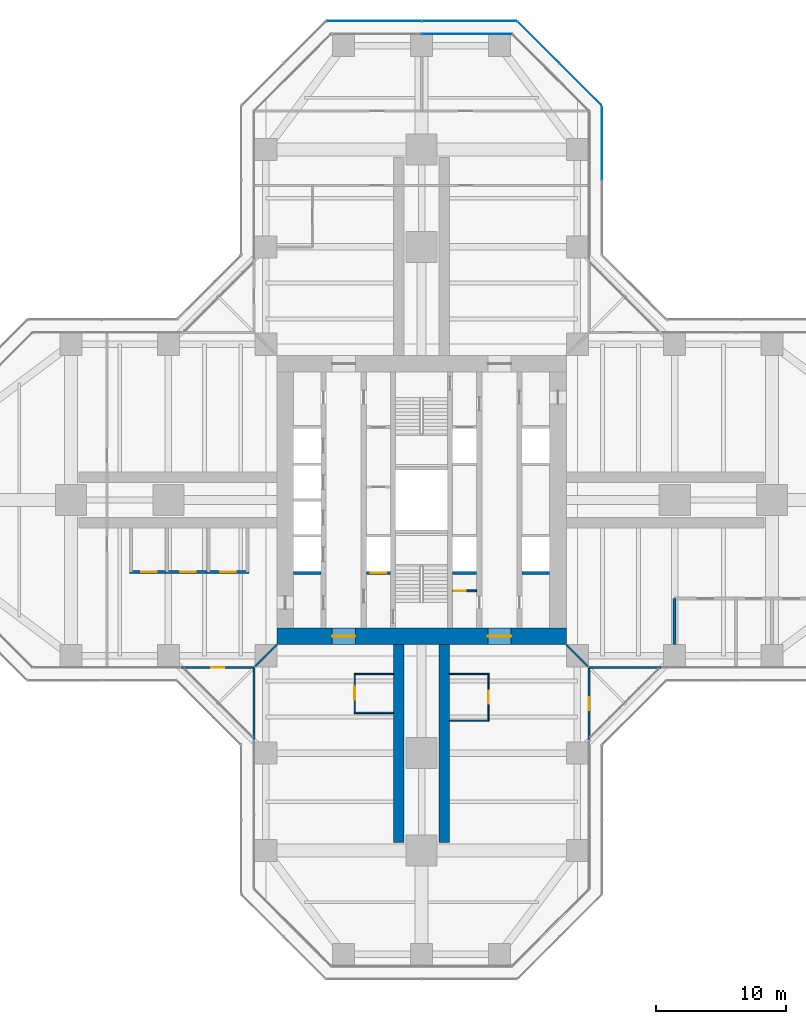
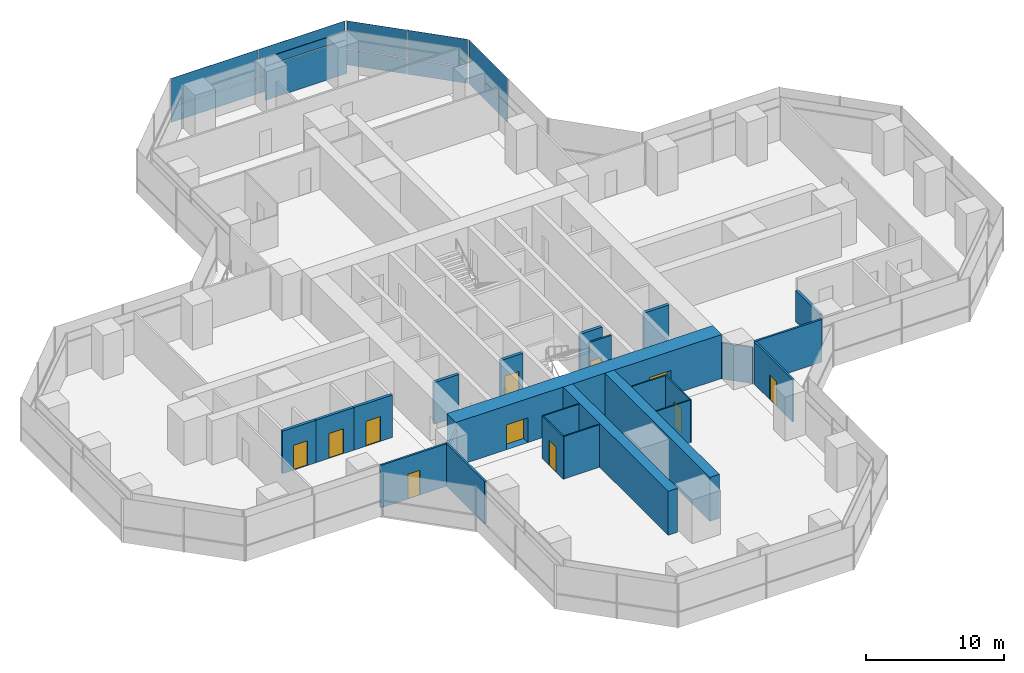
# One storey, part 17 of 22: 24 walls, 12 plates, 11 doors, 11 openings, 4 elements without a shape of their own.
"""IFC4 building model written with IfcOpenShell, lengths in metres."""

from ifc_helpers import new_model, si_unit, direction, frame, frame_2d, origin, origin_2d, place, context, subcontext, project, spatial, rectangle, extrude, material, layer, layer_set, type_object, element, fill, aggregate, save


model = new_model("IFC4")

# Units and contexts
model_context = context("Model", 3, precision=1e-05, world=origin(), true_north=direction((0.0, 1.0)))
body_context = subcontext(model_context, "Body", "Model", "MODEL_VIEW")
ifc_project = project(units=[si_unit("LENGTHUNIT", "METRE"), si_unit("AREAUNIT", "SQUARE_METRE"), si_unit("VOLUMEUNIT", "CUBIC_METRE"), si_unit("PLANEANGLEUNIT", "RADIAN"), si_unit("MASSUNIT", "GRAM", prefix="KILO")], contexts=[model_context])

# Site, building, storey
site_placement = place(None, origin())
site = spatial("IfcSite", under=ifc_project, at=site_placement, CompositionType="ELEMENT")
building_placement = place(site_placement, origin())
building = spatial("IfcBuilding", under=site, at=building_placement, Name="Mizan Broadcast Tower", CompositionType="ELEMENT")
storey_placement = place(building_placement, frame((0.0, 0.0, 47.39990234375)))
storey = spatial("IfcBuildingStorey", under=building, at=storey_placement, Name="L08", CompositionType="ELEMENT", Elevation=47.39990234375)

# Curtain wall, plates
ifc_material_1 = material(Name="Aluminium framed glazing", Category="aluminium")
curtain_wall_type_1 = type_object("IfcCurtainWallType", Name="INNER SKIN LOW ZONE", PredefinedType="USERDEFINED", material=ifc_material_1)
curtain_wall_1_placement = place(storey_placement, origin())
curtain_wall_1 = element("IfcCurtainWall", 1, at=curtain_wall_1_placement, inside=storey, type_object=curtain_wall_type_1, Name="Inner skin low zone L08 N end", ObjectType="INNER SKIN LOW ZONE", PredefinedType="USERDEFINED")
ifc_material_2 = material(Name="Double glazing, clear low-e", Category="glass")
ifc_layer_1 = layer(ifc_material_2, 0.028076171875)
ifc_layer_set_1 = layer_set([ifc_layer_1], Name="Double glazing, clear low-e")
plate_type_1 = type_object("IfcPlateType", Name="INNER SKIN GLAZING UNIT", PredefinedType="CURTAIN_PANEL", material=ifc_layer_set_1)
plate_1_placement = place(storey_placement, frame((3.46435546875, 35.89990234375, 0.0), z_axis=(0.0, 0.0, 1.0), x_axis=(-1.0, 0.0, 0.0)))
plate_1 = element("IfcPlate", 2, at=plate_1_placement, type_object=plate_type_1, Name="Inner skin low zone L08 N end panel 1.1", PredefinedType="CURTAIN_PANEL", context=body_context, shape_type="SweptSolid", body=[
    extrude(rectangle(XDim=6.86865234375, YDim=0.028076171875, at=origin_2d()), origin(), (0.0, 0.0, 1.0), 3.0),
])
ifc_material_3 = material(Name="Insulated aluminium spandrel panel, pale anodised", Category="aluminium")
ifc_layer_2 = layer(ifc_material_3, 0.050048828125)
ifc_layer_set_2 = layer_set([ifc_layer_2], Name="Insulated aluminium spandrel panel, pale anodised")
plate_type_2 = type_object("IfcPlateType", Name="INNER SKIN SPANDREL PANEL", PredefinedType="CURTAIN_PANEL", material=ifc_layer_set_2)
plate_2_placement = place(storey_placement, frame((3.46435546875, 35.89990234375, 3.06005859375), z_axis=(0.0, 0.0, 1.0), x_axis=(-1.0, 0.0, 0.0)))
plate_2 = element("IfcPlate", 3, at=plate_2_placement, type_object=plate_type_2, Name="Inner skin low zone L08 N end panel 1.2", PredefinedType="CURTAIN_PANEL", context=body_context, shape_type="SweptSolid", body=[
    extrude(rectangle(XDim=6.86865234375, YDim=0.050048828125, at=origin_2d()), origin(), (0.0, 0.0, 1.0), 0.7099609375),
])
aggregate(curtain_wall_1, [plate_1, plate_2])

ifc_material_4 = material(Name="Aluminium framed glazing", Category="aluminium")
curtain_wall_type_2 = type_object("IfcCurtainWallType", Name="OUTER SKIN", PredefinedType="USERDEFINED", material=ifc_material_4)
curtain_wall_2_placement = place(storey_placement, origin())
curtain_wall_2 = element("IfcCurtainWall", 4, at=curtain_wall_2_placement, inside=storey, type_object=curtain_wall_type_2, Name="Outer skin L08 N chamfer", ObjectType="OUTER SKIN", PredefinedType="USERDEFINED")
ifc_material_5 = material(Name="Laminated clear glass", Category="glass")
ifc_layer_3 = layer(ifc_material_5, 0.02001953125)
ifc_layer_set_3 = layer_set([ifc_layer_3], Name="Laminated clear glass")
plate_type_3 = type_object("IfcPlateType", Name="OUTER SKIN CLEAR GLASS", PredefinedType="CURTAIN_PANEL", material=ifc_layer_set_3)
plate_3_placement = place(storey_placement, frame((12.254150390625, 32.018798828125, 0.0), z_axis=(0.0, 0.0, 1.0), x_axis=(-0.707106781187, 0.707106781187, 0.0)))
plate_3 = element("IfcPlate", 5, at=plate_3_placement, type_object=plate_type_3, Name="Outer skin L08 N chamfer panel 1.1", PredefinedType="CURTAIN_PANEL", context=body_context, shape_type="SweptSolid", body=[
    extrude(rectangle(XDim=4.495361328125, YDim=0.02001953125, at=origin_2d()), origin(), (0.0, 0.0, 1.0), 1.3701171875),
])
plate_4_placement = place(storey_placement, frame((12.254150390625, 32.018798828125, 1.43017578125), z_axis=(0.0, 0.0, 1.0), x_axis=(-0.707106781187, 0.707106781187, 0.0)))
plate_4 = element("IfcPlate", 6, at=plate_4_placement, type_object=plate_type_3, Name="Outer skin L08 N chamfer panel 1.2", PredefinedType="CURTAIN_PANEL", context=body_context, shape_type="SweptSolid", body=[
    extrude(rectangle(XDim=4.495361328125, YDim=0.02001953125, at=origin_2d()), origin(), (0.0, 0.0, 1.0), 2.469970703125),
])

curtain_wall_3_placement = place(storey_placement, origin())
curtain_wall_3 = element("IfcCurtainWall", 7, at=curtain_wall_3_placement, inside=storey, type_object=curtain_wall_type_2, Name="Outer skin L08 N end", ObjectType="OUTER SKIN", PredefinedType="USERDEFINED")
plate_5_placement = place(storey_placement, frame((3.66650390625, 36.89990234375, 0.0), z_axis=(0.0, 0.0, 1.0), x_axis=(-1.0, 0.0, 0.0)))
plate_5 = element("IfcPlate", 8, at=plate_5_placement, type_object=plate_type_3, Name="Outer skin L08 N end panel 1.1", PredefinedType="CURTAIN_PANEL", context=body_context, shape_type="SweptSolid", body=[
    extrude(rectangle(XDim=7.252685546875, YDim=0.02001953125, at=origin_2d()), origin(), (0.0, 0.0, 1.0), 1.3701171875),
])
plate_6_placement = place(storey_placement, frame((3.66650390625, 36.89990234375, 1.43017578125), z_axis=(0.0, 0.0, 1.0), x_axis=(-1.0, 0.0, 0.0)))
plate_6 = element("IfcPlate", 9, at=plate_6_placement, type_object=plate_type_3, Name="Outer skin L08 N end panel 1.2", PredefinedType="CURTAIN_PANEL", context=body_context, shape_type="SweptSolid", body=[
    extrude(rectangle(XDim=7.252685546875, YDim=0.02001953125, at=origin_2d()), origin(), (0.0, 0.0, 1.0), 2.469970703125),
])
plate_7_placement = place(storey_placement, frame((-3.66650390625, 36.89990234375, 0.0), z_axis=(0.0, 0.0, 1.0), x_axis=(-1.0, 0.0, 0.0)))
plate_7 = element("IfcPlate", 10, at=plate_7_placement, type_object=plate_type_3, Name="Outer skin L08 N end panel 2.1", PredefinedType="CURTAIN_PANEL", context=body_context, shape_type="SweptSolid", body=[
    extrude(rectangle(XDim=7.252685546875, YDim=0.02001953125, at=origin_2d()), origin(), (0.0, 0.0, 1.0), 1.3701171875),
])
plate_8_placement = place(storey_placement, frame((-3.66650390625, 36.89990234375, 1.43017578125), z_axis=(0.0, 0.0, 1.0), x_axis=(-1.0, 0.0, 0.0)))
plate_8 = element("IfcPlate", 11, at=plate_8_placement, type_object=plate_type_3, Name="Outer skin L08 N end panel 2.2", PredefinedType="CURTAIN_PANEL", context=body_context, shape_type="SweptSolid", body=[
    extrude(rectangle(XDim=7.252685546875, YDim=0.02001953125, at=origin_2d()), origin(), (0.0, 0.0, 1.0), 2.469970703125),
])
aggregate(curtain_wall_3, [plate_5, plate_6, plate_7, plate_8])

curtain_wall_4_placement = place(storey_placement, origin())
curtain_wall_4 = element("IfcCurtainWall", 12, at=curtain_wall_4_placement, inside=storey, type_object=curtain_wall_type_2, Name="Outer skin L08 N side", ObjectType="OUTER SKIN", PredefinedType="USERDEFINED")
ifc_material_6 = material(Name="Perforated aluminium, pale anodised", Category="aluminium")
ifc_layer_4 = layer(ifc_material_6, 0.011962890625)
ifc_layer_set_4 = layer_set([ifc_layer_4], Name="Perforated aluminium, pale anodised")
plate_type_4 = type_object("IfcPlateType", Name="OUTER SKIN PERFORATED SCREEN", PredefinedType="USERDEFINED", material=ifc_layer_set_4)
plate_9_placement = place(storey_placement, frame((13.89990234375, 27.477783203125, 0.0), z_axis=(0.0, 0.0, 1.0), x_axis=(0.0, 1.0, 0.0)))
plate_9 = element("IfcPlate", 13, at=plate_9_placement, type_object=plate_type_4, Name="Outer skin L08 N side panel 2.1", ObjectType="SCREEN", PredefinedType="USERDEFINED", context=body_context, shape_type="SweptSolid", body=[
    extrude(rectangle(XDim=5.6298828125, YDim=0.011962890625, at=origin_2d()), origin(), (0.0, 0.0, 1.0), 1.3701171875),
])
plate_10_placement = place(storey_placement, frame((13.89990234375, 27.477783203125, 1.43017578125), z_axis=(0.0, 0.0, 1.0), x_axis=(0.0, 1.0, 0.0)))
plate_10 = element("IfcPlate", 14, at=plate_10_placement, type_object=plate_type_4, Name="Outer skin L08 N side panel 2.2", ObjectType="SCREEN", PredefinedType="USERDEFINED", context=body_context, shape_type="SweptSolid", body=[
    extrude(rectangle(XDim=5.6298828125, YDim=0.011962890625, at=origin_2d()), origin(), (0.0, 0.0, 1.0), 2.469970703125),
])
aggregate(curtain_wall_4, [plate_9, plate_10])

# Plate
plate_11_placement = place(storey_placement, frame((9.018798828125, 35.254150390625, 0.0), z_axis=(0.0, 0.0, 1.0), x_axis=(-0.707106781187, 0.707106781187, 0.0)))
plate_11 = element("IfcPlate", 15, at=plate_11_placement, type_object=plate_type_4, Name="Outer skin L08 N chamfer panel 2.1", ObjectType="SCREEN", PredefinedType="USERDEFINED", context=body_context, shape_type="SweptSolid", body=[
    extrude(rectangle(XDim=4.495361328125, YDim=0.011962890625, at=origin_2d()), origin(), (0.0, 0.0, 1.0), 1.3701171875),
])

plate_12_placement = place(storey_placement, frame((9.018798828125, 35.254150390625, 1.43017578125), z_axis=(0.0, 0.0, 1.0), x_axis=(-0.707106781187, 0.707106781187, 0.0)))
plate_12 = element("IfcPlate", 16, at=plate_12_placement, type_object=plate_type_4, Name="Outer skin L08 N chamfer panel 2.2", ObjectType="SCREEN", PredefinedType="USERDEFINED", context=body_context, shape_type="SweptSolid", body=[
    extrude(rectangle(XDim=4.495361328125, YDim=0.011962890625, at=origin_2d()), origin(), (0.0, 0.0, 1.0), 2.469970703125),
])

aggregate(curtain_wall_2, [plate_3, plate_4, plate_11, plate_12])

# Wall, opening, door
ifc_material_7 = material(Name="Concrete blockwork", Category="masonry")
ifc_layer_5 = layer(ifc_material_7, 0.14990234375)
ifc_layer_set_5 = layer_set([ifc_layer_5], Name="Concrete blockwork")
wall_type_1 = type_object("IfcWallType", Name="CORE PARTITION 150", PredefinedType="SOLIDWALL", material=ifc_layer_set_5)
wall_1_placement = place(storey_placement, frame((2.39990234375, -7.0, 0.0), z_axis=(0.0, 0.0, 1.0), x_axis=(1.0, 0.0, 0.0)))
wall_1 = element("IfcWall", 17, at=wall_1_placement, inside=storey, type_object=wall_type_1, Name="Core partition CORE/XPC", PredefinedType="SOLIDWALL", context=body_context, shape_type="SweptSolid", body=[
    extrude(rectangle(XDim=1.85009765625, YDim=0.14990234375, at=frame_2d((0.925048828125, 0.0))), origin(), (0.0, 0.0, 1.0), 3.77001953125),
])
opening_1_placement = place(wall_1_placement, frame((0.10009765625, 0.0, 0.0)))
opening_1 = element("IfcOpeningElement", 18, at=opening_1_placement, cuts=wall_1, Name="Opening D09F", PredefinedType="OPENING", context=body_context, shape_type="SweptSolid", body=[
    extrude(rectangle(XDim=0.89990234375, YDim=2.10009765625, at=frame_2d((0.449951171875, 1.050048828125))), frame((0.0, 0.0849609375, 0.0), z_axis=(0.0, -1.0, 0.0), x_axis=(1.0, 0.0, 0.0)), (0.0, 0.0, 1.0), 0.169921875),
])
ifc_material_8 = material(Name="Steel door leaf in steel frame", Category="steel")
door_type_1 = type_object("IfcDoorType", Name="CORE ROOM DOOR 900 FD90", OperationType="SINGLE_SWING_LEFT", PredefinedType="DOOR", material=ifc_material_8)
door_1_placement = place(opening_1_placement, origin())
door_1 = element("IfcDoor", 19, at=door_1_placement, inside=storey, type_object=door_type_1, Name="Waste store door", OperationType="SINGLE_SWING_LEFT", OverallHeight=2.10009765625, OverallWidth=0.89990234375, PredefinedType="DOOR", context=body_context, shape_type="SweptSolid", body=[
    extrude(rectangle(XDim=0.89990234375, YDim=2.10009765625, at=frame_2d((0.449951171875, 1.050048828125))), frame((0.0, 0.02490234375, 0.0), z_axis=(0.0, -1.0, 0.0), x_axis=(1.0, 0.0, 0.0)), (0.0, 0.0, 1.0), 0.050048828125),
])
fill(opening_1, door_1)

# Wall, openings, doors
ifc_material_9 = material(Name="Concrete C70/85", Category="concrete")
ifc_layer_6 = layer(ifc_material_9, 1.300048828125)
ifc_layer_set_6 = layer_set([ifc_layer_6], Name="Concrete C70/85")
wall_type_2 = type_object("IfcWallType", Name="CORE WALL 1300", PredefinedType="SHEAR", material=ifc_layer_set_6)
wall_2_placement = place(storey_placement, frame((11.14990234375, -10.5, 0.0), z_axis=(0.0, 0.0, 1.0), x_axis=(-1.0, 0.0, 0.0)))
wall_2 = element("IfcWall", 20, at=wall_2_placement, inside=storey, type_object=wall_type_2, Name="Core wall S L08", PredefinedType="SHEAR", context=body_context, shape_type="SweptSolid", body=[
    extrude(rectangle(XDim=22.2998046875, YDim=1.300048828125, at=frame_2d((11.14990234375, 0.0))), origin(), (0.0, 0.0, 1.0), 3.900146484375),
])
opening_2_placement = place(wall_2_placement, frame((16.25, 0.0, 0.0)))
opening_2 = element("IfcOpeningElement", 21, at=opening_2_placement, cuts=wall_2, Name="Opening D18F", PredefinedType="OPENING", context=body_context, shape_type="SweptSolid", body=[
    extrude(rectangle(XDim=1.800048828125, YDim=2.199951171875, at=frame_2d((0.89990234375, 1.10009765625))), frame((0.0, 0.659912109375, 0.0), z_axis=(0.0, -1.0, 0.0), x_axis=(1.0, 0.0, 0.0)), (0.0, 0.0, 1.0), 1.320068359375),
])
opening_3_placement = place(wall_2_placement, frame((4.25, 0.0, 0.0)))
opening_3 = element("IfcOpeningElement", 22, at=opening_3_placement, cuts=wall_2, Name="Opening D18F", PredefinedType="OPENING", context=body_context, shape_type="SweptSolid", body=[
    extrude(rectangle(XDim=1.800048828125, YDim=2.199951171875, at=frame_2d((0.89990234375, 1.10009765625))), frame((0.0, 0.659912109375, 0.0), z_axis=(0.0, -1.0, 0.0), x_axis=(1.0, 0.0, 0.0)), (0.0, 0.0, 1.0), 1.320068359375),
])
ifc_material_10 = material(Name="Steel door leaf in steel frame", Category="steel")
door_type_2 = type_object("IfcDoorType", Name="LOBBY DOUBLE DOOR 1800 FD90", OperationType="DOUBLE_DOOR_DOUBLE_SWING", PredefinedType="DOOR", material=ifc_material_10)
door_2_placement = place(opening_2_placement, origin())
door_2 = element("IfcDoor", 23, at=door_2_placement, inside=storey, type_object=door_type_2, Name="West lift lobby south door", OperationType="DOUBLE_DOOR_DOUBLE_SWING", OverallHeight=2.199951171875, OverallWidth=1.800048828125, PredefinedType="DOOR", context=body_context, shape_type="SweptSolid", body=[
    extrude(rectangle(XDim=1.800048828125, YDim=2.199951171875, at=frame_2d((0.89990234375, 1.10009765625))), frame((0.0, 0.02490234375, 0.0), z_axis=(0.0, -1.0, 0.0), x_axis=(1.0, 0.0, 0.0)), (0.0, 0.0, 1.0), 0.050048828125),
])
fill(opening_2, door_2)
door_3_placement = place(opening_3_placement, origin())
door_3 = element("IfcDoor", 24, at=door_3_placement, inside=storey, type_object=door_type_2, Name="East lift lobby south door", OperationType="DOUBLE_DOOR_DOUBLE_SWING", OverallHeight=2.199951171875, OverallWidth=1.800048828125, PredefinedType="DOOR", context=body_context, shape_type="SweptSolid", body=[
    extrude(rectangle(XDim=1.800048828125, YDim=2.199951171875, at=frame_2d((0.89990234375, 1.10009765625))), frame((0.0, 0.02490234375, 0.0), z_axis=(0.0, -1.0, 0.0), x_axis=(1.0, 0.0, 0.0)), (0.0, 0.0, 1.0), 0.050048828125),
])
fill(opening_3, door_3)

# Wall
ifc_material_11 = material(Name="Aluminium framed glazed screen", Category="aluminium")
ifc_layer_7 = layer(ifc_material_11, 0.159912109375)
ifc_layer_set_7 = layer_set([ifc_layer_7], Name="Aluminium framed glazed screen")
wall_type_3 = type_object("IfcWallType", Name="GLAZED SCREEN WALL 160", PredefinedType="SOLIDWALL", material=ifc_layer_set_7)
wall_3_placement = place(storey_placement, frame((12.89990234375, -12.89990234375, 0.0), z_axis=(0.0, 0.0, 1.0), x_axis=(1.0, 0.0, 0.0)))
element("IfcWall", 25, at=wall_3_placement, inside=storey, type_object=wall_type_3, Name="Winter garden screen L08 E", PredefinedType="SOLIDWALL", context=body_context, shape_type="SweptSolid", body=[
    extrude(rectangle(XDim=5.60009765625, YDim=0.159912109375, at=frame_2d((2.800048828125, 0.0))), origin(), (0.0, 0.0, 1.0), 3.77001953125),
])

# Wall, opening, door
wall_4_placement = place(storey_placement, frame((-18.5, -12.89990234375, 0.0), z_axis=(0.0, 0.0, 1.0), x_axis=(1.0, 0.0, 0.0)))
wall_4 = element("IfcWall", 26, at=wall_4_placement, inside=storey, type_object=wall_type_3, Name="Winter garden screen L08 W", PredefinedType="SOLIDWALL", context=body_context, shape_type="SweptSolid", body=[
    extrude(rectangle(XDim=5.60009765625, YDim=0.159912109375, at=frame_2d((2.800048828125, 0.0))), origin(), (0.0, 0.0, 1.0), 3.77001953125),
])
opening_4_placement = place(wall_4_placement, frame((2.300048828125, 0.0, 0.0)))
opening_4 = element("IfcOpeningElement", 27, at=opening_4_placement, cuts=wall_4, Name="Opening WGD", PredefinedType="OPENING", context=body_context, shape_type="SweptSolid", body=[
    extrude(rectangle(XDim=1.0, YDim=2.199951171875, at=frame_2d((0.5, 1.10009765625))), frame((0.0, 0.08984375, 0.0), z_axis=(0.0, -1.0, 0.0), x_axis=(1.0, 0.0, 0.0)), (0.0, 0.0, 1.0), 0.179931640625),
])
ifc_material_12 = material(Name="Aluminium framed glazed door", Category="aluminium")
door_type_3 = type_object("IfcDoorType", Name="WINTER GARDEN DOOR 1000 GLAZED", OperationType="SINGLE_SWING_LEFT", PredefinedType="DOOR", material=ifc_material_12)
door_4_placement = place(opening_4_placement, origin())
door_4 = element("IfcDoor", 28, at=door_4_placement, inside=storey, type_object=door_type_3, Name="Winter garden door L08 W", OperationType="SINGLE_SWING_RIGHT", OverallHeight=2.199951171875, OverallWidth=1.0, PredefinedType="DOOR", context=body_context, shape_type="SweptSolid", body=[
    extrude(rectangle(XDim=1.0, YDim=2.199951171875, at=frame_2d((0.5, 1.10009765625))), frame((0.0, 0.02490234375, 0.0), z_axis=(0.0, -1.0, 0.0), x_axis=(1.0, 0.0, 0.0)), (0.0, 0.0, 1.0), 0.050048828125),
])
fill(opening_4, door_4)

# Wall
wall_5_placement = place(storey_placement, frame((-12.89990234375, -12.89990234375, 0.0), z_axis=(0.0, 0.0, 1.0), x_axis=(0.0, -1.0, 0.0)))
element("IfcWall", 29, at=wall_5_placement, inside=storey, type_object=wall_type_3, Name="Winter garden screen L08 S", PredefinedType="SOLIDWALL", context=body_context, shape_type="SweptSolid", body=[
    extrude(rectangle(XDim=5.60009765625, YDim=0.159912109375, at=frame_2d((2.800048828125, 0.0))), origin(), (0.0, 0.0, 1.0), 3.77001953125),
])

# Wall, opening, door
wall_6_placement = place(storey_placement, frame((12.89990234375, -18.5, 0.0), z_axis=(0.0, 0.0, 1.0), x_axis=(0.0, 1.0, 0.0)))
wall_6 = element("IfcWall", 30, at=wall_6_placement, inside=storey, type_object=wall_type_3, Name="Winter garden screen L08 S", PredefinedType="SOLIDWALL", context=body_context, shape_type="SweptSolid", body=[
    extrude(rectangle(XDim=5.60009765625, YDim=0.159912109375, at=frame_2d((2.800048828125, 0.0))), origin(), (0.0, 0.0, 1.0), 3.77001953125),
])
opening_5_placement = place(wall_6_placement, frame((2.300048828125, 0.0, 0.0)))
opening_5 = element("IfcOpeningElement", 31, at=opening_5_placement, cuts=wall_6, Name="Opening WGD", PredefinedType="OPENING", context=body_context, shape_type="SweptSolid", body=[
    extrude(rectangle(XDim=1.0, YDim=2.199951171875, at=frame_2d((0.5, 1.10009765625))), frame((0.0, 0.08984375, 0.0), z_axis=(0.0, -1.0, 0.0), x_axis=(1.0, 0.0, 0.0)), (0.0, 0.0, 1.0), 0.179931640625),
])
door_5_placement = place(opening_5_placement, origin())
door_5 = element("IfcDoor", 32, at=door_5_placement, inside=storey, type_object=door_type_3, Name="Winter garden door L08 S", OperationType="SINGLE_SWING_RIGHT", OverallHeight=2.199951171875, OverallWidth=1.0, PredefinedType="DOOR", context=body_context, shape_type="SweptSolid", body=[
    extrude(rectangle(XDim=1.0, YDim=2.199951171875, at=frame_2d((0.5, 1.10009765625))), frame((0.0, 0.02490234375, 0.0), z_axis=(0.0, -1.0, 0.0), x_axis=(1.0, 0.0, 0.0)), (0.0, 0.0, 1.0), 0.050048828125),
])
fill(opening_5, door_5)

# Wall
ifc_material_13 = material(Name="Concrete blockwork", Category="masonry")
ifc_layer_8 = layer(ifc_material_13, 0.25)
ifc_layer_set_8 = layer_set([ifc_layer_8], Name="Concrete blockwork")
wall_type_4 = type_object("IfcWallType", Name="LOBBY ENCLOSURE WALL 250", PredefinedType="SOLIDWALL", material=ifc_layer_set_8)
wall_7_placement = place(storey_placement, frame((-9.85009765625, -5.625, 0.0), z_axis=(0.0, 0.0, 1.0), x_axis=(1.0, 0.0, 0.0)))
element("IfcWall", 33, at=wall_7_placement, inside=storey, type_object=wall_type_4, Name="Lobby enclosure wall CORE/BW1S", PredefinedType="SOLIDWALL", context=body_context, shape_type="SweptSolid", body=[
    extrude(rectangle(XDim=2.10009765625, YDim=0.25, at=frame_2d((1.050048828125, 0.0))), origin(), (0.0, 0.0, 1.0), 3.7001953125),
])

# Wall, opening, door
wall_8_placement = place(storey_placement, frame((-4.25, -5.625, 0.0), z_axis=(0.0, 0.0, 1.0), x_axis=(1.0, 0.0, 0.0)))
wall_8 = element("IfcWall", 34, at=wall_8_placement, inside=storey, type_object=wall_type_4, Name="Lobby enclosure wall CORE/BW2S", PredefinedType="SOLIDWALL", context=body_context, shape_type="SweptSolid", body=[
    extrude(rectangle(XDim=1.85009765625, YDim=0.25, at=frame_2d((0.925048828125, 0.0))), origin(), (0.0, 0.0, 1.0), 3.7001953125),
])
opening_6_placement = place(wall_8_placement, frame((0.324951171875, 0.0, 0.0)))
opening_6 = element("IfcOpeningElement", 35, at=opening_6_placement, cuts=wall_8, Name="Opening LDF", PredefinedType="OPENING", context=body_context, shape_type="SweptSolid", body=[
    extrude(rectangle(XDim=1.199951171875, YDim=2.199951171875, at=frame_2d((0.60009765625, 1.10009765625))), frame((0.0, 0.135009765625, 0.0), z_axis=(0.0, -1.0, 0.0), x_axis=(1.0, 0.0, 0.0)), (0.0, 0.0, 1.0), 0.27001953125),
])
ifc_material_14 = material(Name="Steel door leaf in steel frame", Category="steel")
door_type_4 = type_object("IfcDoorType", Name="FIREFIGHTING LIFT LANDING DOOR 1200", OperationType="SLIDING_TO_LEFT", PredefinedType="DOOR", material=ifc_material_14)
door_6_placement = place(opening_6_placement, origin())
door_6 = element("IfcDoor", 36, at=door_6_placement, inside=storey, type_object=door_type_4, Name="Landing door FF1", OperationType="SLIDING_TO_LEFT", OverallHeight=2.199951171875, OverallWidth=1.199951171875, PredefinedType="DOOR", context=body_context, shape_type="SweptSolid", body=[
    extrude(rectangle(XDim=1.199951171875, YDim=2.199951171875, at=frame_2d((0.60009765625, 1.10009765625))), frame((0.0, 0.02490234375, 0.0), z_axis=(0.0, -1.0, 0.0), x_axis=(1.0, 0.0, 0.0)), (0.0, 0.0, 1.0), 0.050048828125),
])
fill(opening_6, door_6)

# Walls
wall_9_placement = place(storey_placement, frame((2.39990234375, -5.625, 0.0), z_axis=(0.0, 0.0, 1.0), x_axis=(1.0, 0.0, 0.0)))
element("IfcWall", 37, at=wall_9_placement, inside=storey, type_object=wall_type_4, Name="Lobby enclosure wall CORE/BE2S", PredefinedType="SOLIDWALL", context=body_context, shape_type="SweptSolid", body=[
    extrude(rectangle(XDim=1.85009765625, YDim=0.25, at=frame_2d((0.925048828125, 0.0))), origin(), (0.0, 0.0, 1.0), 3.7001953125),
])
wall_10_placement = place(storey_placement, frame((7.75, -5.625, 0.0), z_axis=(0.0, 0.0, 1.0), x_axis=(1.0, 0.0, 0.0)))
element("IfcWall", 38, at=wall_10_placement, inside=storey, type_object=wall_type_4, Name="Lobby enclosure wall CORE/BE1S", PredefinedType="SOLIDWALL", context=body_context, shape_type="SweptSolid", body=[
    extrude(rectangle(XDim=2.10009765625, YDim=0.25, at=frame_2d((1.050048828125, 0.0))), origin(), (0.0, 0.0, 1.0), 3.7001953125),
])
ifc_material_15 = material(Name="Gypsum board on steel studs", Category="steel")
ifc_layer_9 = layer(ifc_material_15, 0.14990234375)
ifc_layer_set_9 = layer_set([ifc_layer_9], Name="Gypsum board on steel studs")
wall_type_5 = type_object("IfcWallType", Name="PARTITION 150", PredefinedType="PARTITIONING", material=ifc_layer_set_9)
for number, where, z_axis, x_axis, name in (
    (39, (-11.14990234375, -11.14990234375, 0.0), (0.0, 0.0, 1.0), (-0.707106781187, -0.707106781187, 0.0), "Partition PT/DGWS"),
    (40, (11.14990234375, -11.14990234375, 0.0), (0.0, 0.0, 1.0), (0.707106781187, -0.707106781187, 0.0), "Partition PT/DGES"),
):
    element("IfcWall", number, at=place(storey_placement, frame(where, z_axis=z_axis, x_axis=x_axis)), inside=storey, type_object=wall_type_5, Name=name, PredefinedType="PARTITIONING", context=body_context, shape_type="SweptSolid", body=[
        extrude(rectangle(XDim=2.362060546875, YDim=0.14990234375, at=frame_2d((1.18115234375, 0.0))), origin(), (0.0, 0.0, 1.0), 3.22021484375),
    ])
ifc_material_16 = material(Name="Twin steel stud acoustic partition, four layers of gypsum board", Category="steel")
ifc_layer_10 = layer(ifc_material_16, 0.22509765625)
ifc_layer_set_10 = layer_set([ifc_layer_10], Name="Twin steel stud acoustic partition, four layers of gypsum board")
wall_type_6 = type_object("IfcWallType", Name="PARTITION ACOUSTIC 225", PredefinedType="PARTITIONING", material=ifc_layer_set_10)
wall_11_placement = place(storey_placement, frame((19.5, -7.60009765625, 0.0), z_axis=(0.0, 0.0, 1.0), x_axis=(0.0, -1.0, 0.0)))
element("IfcWall", 41, at=wall_11_placement, inside=storey, type_object=wall_type_6, Name="Acoustic partition PT/EQN1950", PredefinedType="PARTITIONING", context=body_context, shape_type="SweptSolid", body=[
    extrude(rectangle(XDim=3.5498046875, YDim=0.22509765625, at=frame_2d((1.77490234375, 0.0))), origin(), (0.0, 0.0, 1.0), 2.77001953125),
])

# Wall, opening, door
wall_12_placement = place(storey_placement, frame((-13.28759765625, -5.550048828125, 0.0), z_axis=(0.0, 0.0, 1.0), x_axis=(-1.0, 0.0, 0.0)))
wall_12 = element("IfcWall", 42, at=wall_12_placement, inside=storey, type_object=wall_type_6, Name="Acoustic partition PT/WKP0f", PredefinedType="PARTITIONING", context=body_context, shape_type="SweptSolid", body=[
    extrude(rectangle(XDim=3.224853515625, YDim=0.22509765625, at=frame_2d((1.6123046875, 0.0))), origin(), (0.0, 0.0, 1.0), 3.77001953125),
])
opening_7_placement = place(wall_12_placement, frame((1.012451171875, 0.0, 0.0)))
opening_7 = element("IfcOpeningElement", 43, at=opening_7_placement, cuts=wall_12, Name="Opening D12A", PredefinedType="OPENING", context=body_context, shape_type="SweptSolid", body=[
    extrude(rectangle(XDim=1.199951171875, YDim=2.199951171875, at=frame_2d((0.60009765625, 1.10009765625))), frame((0.0, 0.12255859375, 0.0), z_axis=(0.0, -1.0, 0.0), x_axis=(1.0, 0.0, 0.0)), (0.0, 0.0, 1.0), 0.2451171875),
])
ifc_material_17 = material(Name="Timber door leaf in aluminium frame", Category="wood")
door_type_5 = type_object("IfcDoorType", Name="ACOUSTIC DOOR 1200", OperationType="SINGLE_SWING_LEFT", PredefinedType="DOOR", material=ifc_material_17)
door_7_placement = place(opening_7_placement, origin())
door_7 = element("IfcDoor", 44, at=door_7_placement, inside=storey, type_object=door_type_5, Name="Edit suite door", OperationType="SINGLE_SWING_LEFT", OverallHeight=2.199951171875, OverallWidth=1.199951171875, PredefinedType="DOOR", context=body_context, shape_type="SweptSolid", body=[
    extrude(rectangle(XDim=1.199951171875, YDim=2.199951171875, at=frame_2d((0.60009765625, 1.10009765625))), frame((0.0, 0.02490234375, 0.0), z_axis=(0.0, -1.0, 0.0), x_axis=(1.0, 0.0, 0.0)), (0.0, 0.0, 1.0), 0.050048828125),
])
fill(opening_7, door_7)

wall_13_placement = place(storey_placement, frame((-16.512451171875, -5.550048828125, 0.0), z_axis=(0.0, 0.0, 1.0), x_axis=(-1.0, 0.0, 0.0)))
wall_13 = element("IfcWall", 45, at=wall_13_placement, inside=storey, type_object=wall_type_6, Name="Acoustic partition PT/WKP1f", PredefinedType="PARTITIONING", context=body_context, shape_type="SweptSolid", body=[
    extrude(rectangle(XDim=3.199951171875, YDim=0.22509765625, at=frame_2d((1.60009765625, 0.0))), origin(), (0.0, 0.0, 1.0), 3.77001953125),
])
opening_8_placement = place(wall_13_placement, frame((0.887451171875, 0.0, 0.0)))
opening_8 = element("IfcOpeningElement", 46, at=opening_8_placement, cuts=wall_13, Name="Opening D12A", PredefinedType="OPENING", context=body_context, shape_type="SweptSolid", body=[
    extrude(rectangle(XDim=1.199951171875, YDim=2.199951171875, at=frame_2d((0.60009765625, 1.10009765625))), frame((0.0, 0.12255859375, 0.0), z_axis=(0.0, -1.0, 0.0), x_axis=(1.0, 0.0, 0.0)), (0.0, 0.0, 1.0), 0.2451171875),
])
door_8_placement = place(opening_8_placement, origin())
door_8 = element("IfcDoor", 47, at=door_8_placement, inside=storey, type_object=door_type_5, Name="Edit suite door", OperationType="SINGLE_SWING_LEFT", OverallHeight=2.199951171875, OverallWidth=1.199951171875, PredefinedType="DOOR", context=body_context, shape_type="SweptSolid", body=[
    extrude(rectangle(XDim=1.199951171875, YDim=2.199951171875, at=frame_2d((0.60009765625, 1.10009765625))), frame((0.0, 0.02490234375, 0.0), z_axis=(0.0, -1.0, 0.0), x_axis=(1.0, 0.0, 0.0)), (0.0, 0.0, 1.0), 0.050048828125),
])
fill(opening_8, door_8)

wall_14_placement = place(storey_placement, frame((-19.71240234375, -5.550048828125, 0.0), z_axis=(0.0, 0.0, 1.0), x_axis=(-1.0, 0.0, 0.0)))
wall_14 = element("IfcWall", 48, at=wall_14_placement, inside=storey, type_object=wall_type_6, Name="Acoustic partition PT/WKP2f", PredefinedType="PARTITIONING", context=body_context, shape_type="SweptSolid", body=[
    extrude(rectangle(XDim=2.800048828125, YDim=0.22509765625, at=frame_2d((1.39990234375, 0.0))), origin(), (0.0, 0.0, 1.0), 3.77001953125),
])
opening_9_placement = place(wall_14_placement, frame((0.6875, 0.0, 0.0)))
opening_9 = element("IfcOpeningElement", 49, at=opening_9_placement, cuts=wall_14, Name="Opening D12A", PredefinedType="OPENING", context=body_context, shape_type="SweptSolid", body=[
    extrude(rectangle(XDim=1.199951171875, YDim=2.199951171875, at=frame_2d((0.60009765625, 1.10009765625))), frame((0.0, 0.12255859375, 0.0), z_axis=(0.0, -1.0, 0.0), x_axis=(1.0, 0.0, 0.0)), (0.0, 0.0, 1.0), 0.2451171875),
])
door_9_placement = place(opening_9_placement, origin())
door_9 = element("IfcDoor", 50, at=door_9_placement, inside=storey, type_object=door_type_5, Name="Edit suite door", OperationType="SINGLE_SWING_LEFT", OverallHeight=2.199951171875, OverallWidth=1.199951171875, PredefinedType="DOOR", context=body_context, shape_type="SweptSolid", body=[
    extrude(rectangle(XDim=1.199951171875, YDim=2.199951171875, at=frame_2d((0.60009765625, 1.10009765625))), frame((0.0, 0.02490234375, 0.0), z_axis=(0.0, -1.0, 0.0), x_axis=(1.0, 0.0, 0.0)), (0.0, 0.0, 1.0), 0.050048828125),
])
fill(opening_9, door_9)

# Walls
ifc_material_18 = material(Name="Glazed aluminium partition on aluminium track", Category="aluminium")
ifc_layer_11 = layer(ifc_material_18, 0.10009765625)
ifc_layer_set_11 = layer_set([ifc_layer_11], Name="Glazed aluminium partition on aluminium track")
wall_type_7 = type_object("IfcWallType", Name="PARTITION GLAZED OFFICE FRONT 100", PredefinedType="PARTITIONING", material=ifc_layer_set_11)
for number, where, z_axis, x_axis, name in (
    (51, (2.14990234375, -13.39990234375, 0.0), (0.0, 0.0, 1.0), (1.0, 0.0, 0.0), "Glazed office front PT/SKP0a"),
    (52, (2.14990234375, -17.0, 0.0), (0.0, 0.0, 1.0), (1.0, 0.0, 0.0), "Glazed office front PT/SKP0b"),
):
    element("IfcWall", number, at=place(storey_placement, frame(where, z_axis=z_axis, x_axis=x_axis)), inside=storey, type_object=wall_type_7, Name=name, PredefinedType="PARTITIONING", context=body_context, shape_type="SweptSolid", body=[
        extrude(rectangle(XDim=3.0, YDim=0.10009765625, at=frame_2d((1.5, 0.0))), origin(), (0.0, 0.0, 1.0), 3.77001953125),
    ])

# Wall, opening, door
wall_15_placement = place(storey_placement, frame((5.14990234375, -13.35009765625, 0.0), z_axis=(0.0, 0.0, 1.0), x_axis=(0.0, -1.0, 0.0)))
wall_15 = element("IfcWall", 53, at=wall_15_placement, inside=storey, type_object=wall_type_7, Name="Glazed office front PT/SKP0f", PredefinedType="PARTITIONING", context=body_context, shape_type="SweptSolid", body=[
    extrude(rectangle(XDim=3.699951171875, YDim=0.10009765625, at=frame_2d((1.85009765625, 0.0))), origin(), (0.0, 0.0, 1.0), 3.77001953125),
])
opening_10_placement = place(wall_15_placement, frame((1.35009765625, 0.0, 0.0)))
opening_10 = element("IfcOpeningElement", 54, at=opening_10_placement, cuts=wall_15, Name="Opening D10O", PredefinedType="OPENING", context=body_context, shape_type="SweptSolid", body=[
    extrude(rectangle(XDim=1.0, YDim=2.199951171875, at=frame_2d((0.5, 1.10009765625))), frame((0.0, 0.06005859375, 0.0), z_axis=(0.0, -1.0, 0.0), x_axis=(1.0, 0.0, 0.0)), (0.0, 0.0, 1.0), 0.1201171875),
])
ifc_material_19 = material(Name="Timber door leaf in aluminium frame", Category="wood")
door_type_6 = type_object("IfcDoorType", Name="OFFICE DOOR 1000 GLAZED", OperationType="SINGLE_SWING_LEFT", PredefinedType="DOOR", material=ifc_material_19)
door_10_placement = place(opening_10_placement, origin())
door_10 = element("IfcDoor", 55, at=door_10_placement, inside=storey, type_object=door_type_6, Name="Graphics room door", OperationType="SINGLE_SWING_LEFT", OverallHeight=2.199951171875, OverallWidth=1.0, PredefinedType="DOOR", context=body_context, shape_type="SweptSolid", body=[
    extrude(rectangle(XDim=1.0, YDim=2.199951171875, at=frame_2d((0.5, 1.10009765625))), frame((0.0, 0.02490234375, 0.0), z_axis=(0.0, -1.0, 0.0), x_axis=(1.0, 0.0, 0.0)), (0.0, 0.0, 1.0), 0.050048828125),
])
fill(opening_10, door_10)

# Walls
for number, where, z_axis, x_axis, name in (
    (56, (-2.14990234375, -13.39990234375, 0.0), (0.0, 0.0, 1.0), (-1.0, 0.0, 0.0), "Glazed office front PT/SKN0a"),
    (57, (-2.14990234375, -16.39990234375, 0.0), (0.0, 0.0, 1.0), (-1.0, 0.0, 0.0), "Glazed office front PT/SKN0b"),
):
    element("IfcWall", number, at=place(storey_placement, frame(where, z_axis=z_axis, x_axis=x_axis)), inside=storey, type_object=wall_type_7, Name=name, PredefinedType="PARTITIONING", context=body_context, shape_type="SweptSolid", body=[
        extrude(rectangle(XDim=3.0, YDim=0.10009765625, at=frame_2d((1.5, 0.0))), origin(), (0.0, 0.0, 1.0), 3.77001953125),
    ])

# Wall, opening, door
wall_16_placement = place(storey_placement, frame((-5.14990234375, -13.35009765625, 0.0), z_axis=(0.0, 0.0, 1.0), x_axis=(0.0, -1.0, 0.0)))
wall_16 = element("IfcWall", 58, at=wall_16_placement, inside=storey, type_object=wall_type_7, Name="Glazed office front PT/SKN0f", PredefinedType="PARTITIONING", context=body_context, shape_type="SweptSolid", body=[
    extrude(rectangle(XDim=3.099853515625, YDim=0.10009765625, at=frame_2d((1.5498046875, 0.0))), origin(), (0.0, 0.0, 1.0), 3.77001953125),
])
opening_11_placement = place(wall_16_placement, frame((1.050048828125, 0.0, 0.0)))
opening_11 = element("IfcOpeningElement", 59, at=opening_11_placement, cuts=wall_16, Name="Opening D10O", PredefinedType="OPENING", context=body_context, shape_type="SweptSolid", body=[
    extrude(rectangle(XDim=1.0, YDim=2.199951171875, at=frame_2d((0.5, 1.10009765625))), frame((0.0, 0.06005859375, 0.0), z_axis=(0.0, -1.0, 0.0), x_axis=(1.0, 0.0, 0.0)), (0.0, 0.0, 1.0), 0.1201171875),
])
door_11_placement = place(opening_11_placement, origin())
door_11 = element("IfcDoor", 60, at=door_11_placement, inside=storey, type_object=door_type_6, Name="Pantry door", OperationType="SINGLE_SWING_LEFT", OverallHeight=2.199951171875, OverallWidth=1.0, PredefinedType="DOOR", context=body_context, shape_type="SweptSolid", body=[
    extrude(rectangle(XDim=1.0, YDim=2.199951171875, at=frame_2d((0.5, 1.10009765625))), frame((0.0, 0.02490234375, 0.0), z_axis=(0.0, -1.0, 0.0), x_axis=(1.0, 0.0, 0.0)), (0.0, 0.0, 1.0), 0.050048828125),
])
fill(opening_11, door_11)

# Walls
ifc_material_20 = material(Name="Concrete C70/85", Category="concrete")
ifc_layer_12 = layer(ifc_material_20, 0.800048828125)
ifc_layer_set_12 = layer_set([ifc_layer_12], Name="Concrete C70/85")
wall_type_8 = type_object("IfcWallType", Name="SPINE WALL 800", PredefinedType="SHEAR", material=ifc_layer_set_12)
for number, where, z_axis, x_axis, name in (
    (61, (-1.75, -11.14990234375, 0.0), (0.0, 0.0, 1.0), (0.0, -1.0, 0.0), "Spine wall SR L08"),
    (62, (1.75, -11.14990234375, 0.0), (0.0, 0.0, 1.0), (0.0, -1.0, 0.0), "Spine wall SL L08"),
):
    element("IfcWall", number, at=place(storey_placement, frame(where, z_axis=z_axis, x_axis=x_axis)), inside=storey, type_object=wall_type_8, Name=name, PredefinedType="SHEAR", context=body_context, shape_type="SweptSolid", body=[
        extrude(rectangle(XDim=15.25, YDim=0.800048828125, at=frame_2d((7.625, 0.0))), origin(), (0.0, 0.0, 1.0), 3.900146484375),
    ])

save(model, "model.ifc")
